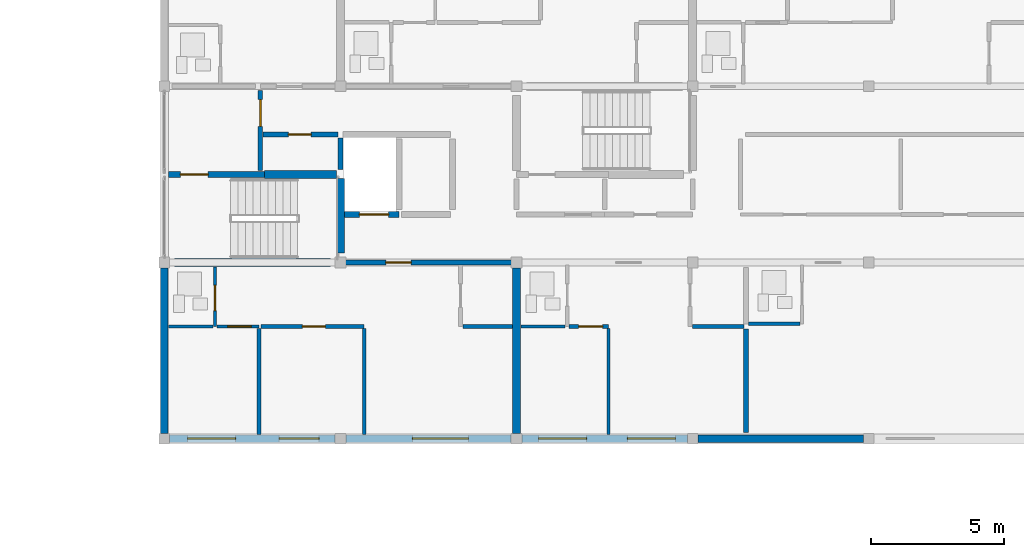
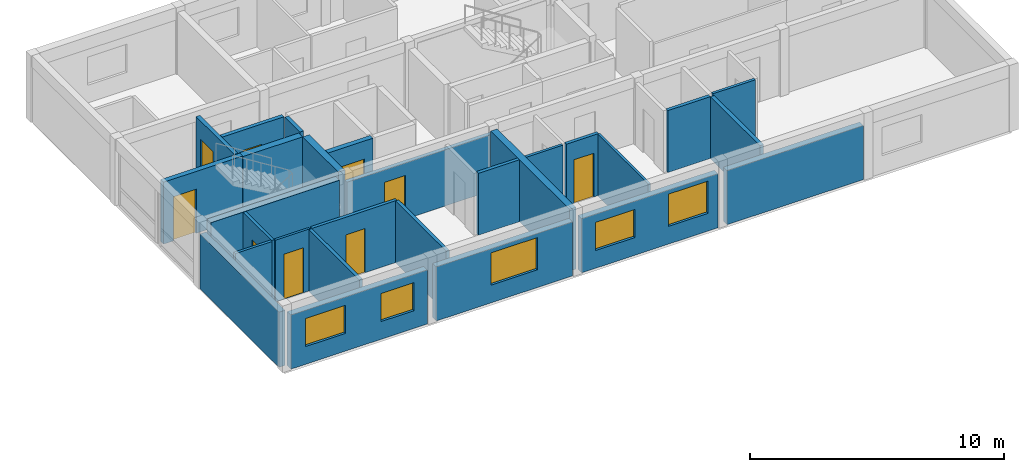
# One storey, part 23 of 34: 28 walls, 9 doors, 5 windows, 14 openings.
"""IFC4 building model written with IfcOpenShell, lengths in metres."""

from ifc_helpers import new_model, si_unit, direction, frame, frame_2d, origin, place, context, subcontext, project, spatial, rectangle, extrude, material, layer, layer_set, type_object, element, fill, save


model = new_model("IFC4")

# Units and contexts
model_context = context("Model", 3, precision=1e-05, world=origin(), true_north=direction((0.0, 1.0)))
body_context = subcontext(model_context, "Body", "Model", "MODEL_VIEW")
ifc_project = project(units=[si_unit("LENGTHUNIT", "METRE"), si_unit("AREAUNIT", "SQUARE_METRE"), si_unit("VOLUMEUNIT", "CUBIC_METRE"), si_unit("PLANEANGLEUNIT", "RADIAN"), si_unit("MASSUNIT", "GRAM", prefix="KILO")], contexts=[model_context])

# Site, building, storey
site_placement = place(None, origin())
site = spatial("IfcSite", under=ifc_project, at=site_placement, CompositionType="ELEMENT")
building_placement = place(site_placement, origin())
building = spatial("IfcBuilding", under=site, at=building_placement, Name="Kernevlak Ridge Housing Community", CompositionType="ELEMENT")
storey_placement = place(building_placement, frame((0.0, 0.0, 34.0)))
storey = spatial("IfcBuildingStorey", under=building, at=storey_placement, Name="L10", CompositionType="ELEMENT", Elevation=34.0)

# Wall, openings, windows
ifc_material_1 = material(Name="Concrete block masonry M10", Category="masonry")
ifc_layer_1 = layer(ifc_material_1, 0.280029296875, Name="Concrete block masonry M10")
ifc_layer_set_1 = layer_set([ifc_layer_1], Name="Concrete block masonry M10")
wall_type_1 = type_object("IfcWallType", Name="EW-03", PredefinedType="STANDARD", material=ifc_layer_set_1)
wall_1_placement = place(storey_placement, frame((119.60009765625, 82.60009765625, 0.0), z_axis=(0.0, 0.0, 1.0), x_axis=(1.0, 0.0, 0.0)))
wall_1 = element("IfcWall", 1, at=wall_1_placement, inside=storey, type_object=wall_type_1, Name="Exterior wall EW-03 L10 451", PredefinedType="STANDARD", context=body_context, shape_type="SweptSolid", body=[
    extrude(rectangle(XDim=6.199951171875, YDim=0.280029296875, at=frame_2d((3.10009765625, 0.0))), origin(), (0.0, 0.0, 1.0), 2.60009765625),
])
opening_1_placement = place(wall_1_placement, frame((0.675048828125, 0.0, 0.85009765625)))
opening_1 = element("IfcOpeningElement", 2, at=opening_1_placement, cuts=wall_1, Name="Opening WT-03", PredefinedType="OPENING", context=body_context, shape_type="SweptSolid", body=[
    extrude(rectangle(XDim=1.800048828125, YDim=1.35009765625, at=frame_2d((0.89990234375, 0.675048828125))), frame((0.0, 0.14990234375, 0.0), z_axis=(0.0, -1.0, 0.0), x_axis=(1.0, 0.0, 0.0)), (0.0, 0.0, 1.0), 0.300048828125),
])
opening_2_placement = place(wall_1_placement, frame((4.10009765625, 0.0, 0.85009765625)))
opening_2 = element("IfcOpeningElement", 3, at=opening_2_placement, cuts=wall_1, Name="Opening WT-02", PredefinedType="OPENING", context=body_context, shape_type="SweptSolid", body=[
    extrude(rectangle(XDim=1.5, YDim=1.35009765625, at=frame_2d((0.75, 0.675048828125))), frame((0.0, 0.14990234375, 0.0), z_axis=(0.0, -1.0, 0.0), x_axis=(1.0, 0.0, 0.0)), (0.0, 0.0, 1.0), 0.300048828125),
])
ifc_material_2 = material(Name="Aluminium EN AW-6060 anodised and laminated glass", Category="aluminium")
window_type_1 = type_object("IfcWindowType", Name="WT-02", PartitioningType="SINGLE_PANEL", PredefinedType="WINDOW", material=ifc_material_2)
window_1_placement = place(opening_2_placement, origin())
window_1 = element("IfcWindow", 4, at=window_1_placement, inside=storey, type_object=window_type_1, Name="Window WT-02 L10 349", OverallHeight=1.35009765625, OverallWidth=1.5, PartitioningType="SINGLE_PANEL", PredefinedType="WINDOW", context=body_context, shape_type="SweptSolid", body=[
    extrude(rectangle(XDim=1.5, YDim=1.35009765625, at=frame_2d((0.75, 0.675048828125))), frame((0.0, 0.030029296875, 0.0), z_axis=(0.0, -1.0, 0.0), x_axis=(1.0, 0.0, 0.0)), (0.0, 0.0, 1.0), 0.06005859375),
])
fill(opening_2, window_1)
window_type_2 = type_object("IfcWindowType", Name="WT-03", PartitioningType="SINGLE_PANEL", PredefinedType="WINDOW", material=ifc_material_2)
window_2_placement = place(opening_1_placement, origin())
window_2 = element("IfcWindow", 5, at=window_2_placement, inside=storey, type_object=window_type_2, Name="Window WT-03 L10 348", OverallHeight=1.35009765625, OverallWidth=1.800048828125, PartitioningType="SINGLE_PANEL", PredefinedType="WINDOW", context=body_context, shape_type="SweptSolid", body=[
    extrude(rectangle(XDim=1.800048828125, YDim=1.35009765625, at=frame_2d((0.89990234375, 0.675048828125))), frame((0.0, 0.030029296875, 0.0), z_axis=(0.0, -1.0, 0.0), x_axis=(1.0, 0.0, 0.0)), (0.0, 0.0, 1.0), 0.06005859375),
])
fill(opening_1, window_2)

# Wall, opening, window
wall_2_placement = place(storey_placement, frame((126.199951171875, 82.60009765625, 0.0), z_axis=(0.0, 0.0, 1.0), x_axis=(1.0, 0.0, 0.0)))
wall_2 = element("IfcWall", 6, at=wall_2_placement, inside=storey, type_object=wall_type_1, Name="Exterior wall EW-03 L10 452", PredefinedType="STANDARD", context=body_context, shape_type="SweptSolid", body=[
    extrude(rectangle(XDim=6.199951171875, YDim=0.280029296875, at=frame_2d((3.10009765625, 0.0))), origin(), (0.0, 0.0, 1.0), 2.60009765625),
])
opening_3_placement = place(wall_2_placement, frame((2.49609375, 0.0, 0.85009765625)))
opening_3 = element("IfcOpeningElement", 7, at=opening_3_placement, cuts=wall_2, Name="Opening WT-05", PredefinedType="OPENING", context=body_context, shape_type="SweptSolid", body=[
    extrude(rectangle(XDim=2.10009765625, YDim=1.550048828125, at=frame_2d((1.050048828125, 0.77490234375))), frame((0.0, 0.14990234375, 0.0), z_axis=(0.0, -1.0, 0.0), x_axis=(1.0, 0.0, 0.0)), (0.0, 0.0, 1.0), 0.300048828125),
])
window_type_3 = type_object("IfcWindowType", Name="WT-05", PartitioningType="SINGLE_PANEL", PredefinedType="WINDOW", material=ifc_material_2)
window_3_placement = place(opening_3_placement, origin())
window_3 = element("IfcWindow", 8, at=window_3_placement, inside=storey, type_object=window_type_3, Name="Window WT-05 L10 350", OverallHeight=1.550048828125, OverallWidth=2.10009765625, PartitioningType="SINGLE_PANEL", PredefinedType="WINDOW", context=body_context, shape_type="SweptSolid", body=[
    extrude(rectangle(XDim=2.10009765625, YDim=1.550048828125, at=frame_2d((1.050048828125, 0.77490234375))), frame((0.0, 0.030029296875, 0.0), z_axis=(0.0, -1.0, 0.0), x_axis=(1.0, 0.0, 0.0)), (0.0, 0.0, 1.0), 0.06005859375),
])
fill(opening_3, window_3)

# Wall, openings, windows
wall_3_placement = place(storey_placement, frame((132.800048828125, 82.60009765625, 0.0), z_axis=(0.0, 0.0, 1.0), x_axis=(1.0, 0.0, 0.0)))
wall_3 = element("IfcWall", 9, at=wall_3_placement, inside=storey, type_object=wall_type_1, Name="Exterior wall EW-03 L10 453", PredefinedType="STANDARD", context=body_context, shape_type="SweptSolid", body=[
    extrude(rectangle(XDim=6.199951171875, YDim=0.280029296875, at=frame_2d((3.10009765625, 0.0))), origin(), (0.0, 0.0, 1.0), 2.60009765625),
])
opening_4_placement = place(wall_3_placement, frame((0.625, 0.0, 0.85009765625)))
opening_4 = element("IfcOpeningElement", 10, at=opening_4_placement, cuts=wall_3, Name="Opening WT-03", PredefinedType="OPENING", context=body_context, shape_type="SweptSolid", body=[
    extrude(rectangle(XDim=1.800048828125, YDim=1.35009765625, at=frame_2d((0.89990234375, 0.675048828125))), frame((0.0, 0.14990234375, 0.0), z_axis=(0.0, -1.0, 0.0), x_axis=(1.0, 0.0, 0.0)), (0.0, 0.0, 1.0), 0.300048828125),
])
opening_5_placement = place(wall_3_placement, frame((3.949951171875, 0.0, 0.85009765625)))
opening_5 = element("IfcOpeningElement", 11, at=opening_5_placement, cuts=wall_3, Name="Opening WT-04", PredefinedType="OPENING", context=body_context, shape_type="SweptSolid", body=[
    extrude(rectangle(XDim=1.800048828125, YDim=1.550048828125, at=frame_2d((0.89990234375, 0.77490234375))), frame((0.0, 0.14990234375, 0.0), z_axis=(0.0, -1.0, 0.0), x_axis=(1.0, 0.0, 0.0)), (0.0, 0.0, 1.0), 0.300048828125),
])
window_4_placement = place(opening_4_placement, origin())
window_4 = element("IfcWindow", 12, at=window_4_placement, inside=storey, type_object=window_type_2, Name="Window WT-03 L10 351", OverallHeight=1.35009765625, OverallWidth=1.800048828125, PartitioningType="SINGLE_PANEL", PredefinedType="WINDOW", context=body_context, shape_type="SweptSolid", body=[
    extrude(rectangle(XDim=1.800048828125, YDim=1.35009765625, at=frame_2d((0.89990234375, 0.675048828125))), frame((0.0, 0.030029296875, 0.0), z_axis=(0.0, -1.0, 0.0), x_axis=(1.0, 0.0, 0.0)), (0.0, 0.0, 1.0), 0.06005859375),
])
fill(opening_4, window_4)
window_type_4 = type_object("IfcWindowType", Name="WT-04", PartitioningType="SINGLE_PANEL", PredefinedType="WINDOW", material=ifc_material_2)
window_5_placement = place(opening_5_placement, origin())
window_5 = element("IfcWindow", 13, at=window_5_placement, inside=storey, type_object=window_type_4, Name="Window WT-04 L10 352", OverallHeight=1.550048828125, OverallWidth=1.800048828125, PartitioningType="SINGLE_PANEL", PredefinedType="WINDOW", context=body_context, shape_type="SweptSolid", body=[
    extrude(rectangle(XDim=1.800048828125, YDim=1.550048828125, at=frame_2d((0.89990234375, 0.77490234375))), frame((0.0, 0.030029296875, 0.0), z_axis=(0.0, -1.0, 0.0), x_axis=(1.0, 0.0, 0.0)), (0.0, 0.0, 1.0), 0.06005859375),
])
fill(opening_5, window_5)

# Walls
wall_4_placement = place(storey_placement, frame((139.39990234375, 82.60009765625, 0.0), z_axis=(0.0, 0.0, 1.0), x_axis=(1.0, 0.0, 0.0)))
element("IfcWall", 14, at=wall_4_placement, inside=storey, type_object=wall_type_1, Name="Exterior wall EW-03 L10 454", PredefinedType="STANDARD", context=body_context, shape_type="SweptSolid", body=[
    extrude(rectangle(XDim=6.2001953125, YDim=0.280029296875, at=frame_2d((3.10009765625, 0.0))), origin(), (0.0, 0.0, 1.0), 2.60009765625),
])
wall_5_placement = place(storey_placement, frame((119.39990234375, 82.800048828125, 0.0), z_axis=(0.0, 0.0, 1.0), x_axis=(0.0, 1.0, 0.0)))
element("IfcWall", 15, at=wall_5_placement, inside=storey, type_object=wall_type_1, Name="Exterior wall EW-03 L10 463", PredefinedType="STANDARD", context=body_context, shape_type="SweptSolid", body=[
    extrude(rectangle(XDim=6.199951171875, YDim=0.280029296875, at=frame_2d((3.10009765625, 0.0))), origin(), (0.0, 0.0, 1.0), 2.64990234375),
])

# Wall, opening, door
ifc_material_3 = material(Name="Concrete C35/45", Category="concrete")
ifc_layer_2 = layer(ifc_material_3, 0.22509765625, Name="Concrete C35/45")
ifc_layer_set_2 = layer_set([ifc_layer_2], Name="Concrete C35/45")
wall_type_2 = type_object("IfcWallType", Name="PW-01", PredefinedType="STANDARD", material=ifc_layer_set_2)
wall_6_placement = place(storey_placement, frame((119.550048828125, 92.5, 0.0), z_axis=(0.0, 0.0, 1.0), x_axis=(1.0, 0.0, 0.0)))
wall_6 = element("IfcWall", 16, at=wall_6_placement, inside=storey, type_object=wall_type_2, Name="Interior wall PW-01 WAL-INT-L10-1765", PredefinedType="STANDARD", context=body_context, shape_type="SweptSolid", body=[
    extrude(rectangle(XDim=3.599853515625, YDim=0.22509765625, at=frame_2d((1.7998046875, 0.0))), origin(), (0.0, 0.0, 1.0), 2.969970703125),
])
opening_6_placement = place(wall_6_placement, frame((0.449951171875, 0.0, 0.0)))
opening_6 = element("IfcOpeningElement", 17, at=opening_6_placement, cuts=wall_6, Name="Opening D895", PredefinedType="OPENING", context=body_context, shape_type="SweptSolid", body=[
    extrude(rectangle(XDim=1.0400390625, YDim=2.1201171875, at=frame_2d((0.52001953125, 1.06005859375))), frame((0.0, 0.12255859375, 0.0), z_axis=(0.0, -1.0, 0.0), x_axis=(1.0, 0.0, 0.0)), (0.0, 0.0, 1.0), 0.2451171875),
])
ifc_material_4 = material(Name="Fire-rated sheet steel leaf", Category="steel")
door_type_1 = type_object("IfcDoorType", Name="DT-16", OperationType="NOTDEFINED", PredefinedType="DOOR", material=ifc_material_4)
door_1_placement = place(opening_6_placement, origin())
door_1 = element("IfcDoor", 18, at=door_1_placement, inside=storey, type_object=door_type_1, Name="Block B Stair 1 fire door D895", OperationType="SINGLE_SWING_LEFT", OverallHeight=2.1201171875, OverallWidth=1.0400390625, PredefinedType="DOOR", context=body_context, shape_type="SweptSolid", body=[
    extrude(rectangle(XDim=1.0400390625, YDim=2.1201171875, at=frame_2d((0.52001953125, 1.06005859375))), frame((0.0, 0.02490234375, 0.0), z_axis=(0.0, -1.0, 0.0), x_axis=(1.0, 0.0, 0.0)), (0.0, 0.0, 1.0), 0.050048828125),
])
fill(opening_6, door_1)

wall_7_placement = place(storey_placement, frame((126.159912109375, 91.0, 0.0), z_axis=(0.0, 0.0, 1.0), x_axis=(1.0, 0.0, 0.0)))
wall_7 = element("IfcWall", 19, at=wall_7_placement, inside=storey, type_object=wall_type_2, Name="Interior wall PW-01 WAL-INT-L10-1769", PredefinedType="STANDARD", context=body_context, shape_type="SweptSolid", body=[
    extrude(rectangle(XDim=2.0400390625, YDim=0.22509765625, at=frame_2d((1.02001953125, 0.0))), origin(), (0.0, 0.0, 1.0), 2.969970703125),
])
opening_7_placement = place(wall_7_placement, frame((0.550048828125, 0.0, 0.0)))
opening_7 = element("IfcOpeningElement", 20, at=opening_7_placement, cuts=wall_7, Name="Opening LD49", PredefinedType="OPENING", context=body_context, shape_type="SweptSolid", body=[
    extrude(rectangle(XDim=1.10009765625, YDim=2.10009765625, at=frame_2d((0.550048828125, 1.050048828125))), frame((0.0, 0.12255859375, 0.0), z_axis=(0.0, -1.0, 0.0), x_axis=(1.0, 0.0, 0.0)), (0.0, 0.0, 1.0), 0.2451171875),
])
ifc_material_5 = material(Name="Stainless steel EN 1.4401", Category="steel")
door_type_2 = type_object("IfcDoorType", Name="DT-LD1", OperationType="DOUBLE_DOOR_SLIDING", PredefinedType="DOOR", material=ifc_material_5)
door_2_placement = place(opening_7_placement, origin())
door_2 = element("IfcDoor", 21, at=door_2_placement, inside=storey, type_object=door_type_2, Name="Lift LF-B1 landing door LD49", OperationType="DOUBLE_DOOR_SLIDING", OverallHeight=2.10009765625, OverallWidth=1.10009765625, PredefinedType="DOOR", context=body_context, shape_type="SweptSolid", body=[
    extrude(rectangle(XDim=1.10009765625, YDim=2.10009765625, at=frame_2d((0.550048828125, 1.050048828125))), frame((0.0, 0.02490234375, 0.0), z_axis=(0.0, -1.0, 0.0), x_axis=(1.0, 0.0, 0.0)), (0.0, 0.0, 1.0), 0.050048828125),
])
fill(opening_7, door_2)

ifc_layer_3 = layer(ifc_material_1, 0.175048828125, Name="Concrete block masonry M10")
ifc_layer_set_3 = layer_set([ifc_layer_3], Name="Concrete block masonry M10")
wall_type_3 = type_object("IfcWallType", Name="PW-02", PredefinedType="PARTITIONING", material=ifc_layer_set_3)
wall_8_placement = place(storey_placement, frame((123.0, 92.64990234375, 0.0), z_axis=(0.0, 0.0, 1.0), x_axis=(0.0, 1.0, 0.0)))
wall_8 = element("IfcWall", 22, at=wall_8_placement, inside=storey, type_object=wall_type_3, Name="Interior wall PW-02 WAL-INT-L10-1766", PredefinedType="PARTITIONING", context=body_context, shape_type="SweptSolid", body=[
    extrude(rectangle(XDim=3.0, YDim=0.175048828125, at=frame_2d((1.5, 0.0))), origin(), (0.0, 0.0, 1.0), 2.969970703125),
])
opening_8_placement = place(wall_8_placement, frame((1.64990234375, 0.0, 0.0)))
opening_8 = element("IfcOpeningElement", 23, at=opening_8_placement, cuts=wall_8, Name="Opening D896", PredefinedType="OPENING", context=body_context, shape_type="SweptSolid", body=[
    extrude(rectangle(XDim=1.0, YDim=2.10009765625, at=frame_2d((0.5, 1.050048828125))), frame((0.0, 0.097412109375, 0.0), z_axis=(0.0, -1.0, 0.0), x_axis=(1.0, 0.0, 0.0)), (0.0, 0.0, 1.0), 0.195068359375),
])
door_type_3 = type_object("IfcDoorType", Name="DT-05", OperationType="NOTDEFINED", PredefinedType="DOOR", material=ifc_material_4)
door_3_placement = place(opening_8_placement, origin())
door_3 = element("IfcDoor", 24, at=door_3_placement, inside=storey, type_object=door_type_3, Name="Block B Firefighting lobby 1 door D896", OperationType="SINGLE_SWING_RIGHT", OverallHeight=2.10009765625, OverallWidth=1.0, PredefinedType="DOOR", context=body_context, shape_type="SweptSolid", body=[
    extrude(rectangle(XDim=1.0, YDim=2.10009765625, at=frame_2d((0.5, 1.050048828125))), frame((0.0, 0.02490234375, 0.0), z_axis=(0.0, -1.0, 0.0), x_axis=(1.0, 0.0, 0.0)), (0.0, 0.0, 1.0), 0.050048828125),
])
fill(opening_8, door_3)

wall_9_placement = place(storey_placement, frame((123.10009765625, 94.0, 0.0), z_axis=(0.0, 0.0, 1.0), x_axis=(1.0, 0.0, 0.0)))
wall_9 = element("IfcWall", 25, at=wall_9_placement, inside=storey, type_object=wall_type_3, Name="Interior wall PW-02 WAL-INT-L10-1767", PredefinedType="PARTITIONING", context=body_context, shape_type="SweptSolid", body=[
    extrude(rectangle(XDim=2.7998046875, YDim=0.175048828125, at=frame_2d((1.39990234375, 0.0))), origin(), (0.0, 0.0, 1.0), 2.969970703125),
])
opening_9_placement = place(wall_9_placement, frame((0.949951171875, 0.0, 0.0)))
opening_9 = element("IfcOpeningElement", 26, at=opening_9_placement, cuts=wall_9, Name="Opening D897", PredefinedType="OPENING", context=body_context, shape_type="SweptSolid", body=[
    extrude(rectangle(XDim=0.85009765625, YDim=2.0, at=frame_2d((0.425048828125, 1.0))), frame((0.0, 0.097412109375, 0.0), z_axis=(0.0, -1.0, 0.0), x_axis=(1.0, 0.0, 0.0)), (0.0, 0.0, 1.0), 0.195068359375),
])
door_type_4 = type_object("IfcDoorType", Name="DT-07", OperationType="NOTDEFINED", PredefinedType="DOOR", material=ifc_material_4)
door_4_placement = place(opening_9_placement, origin())
door_4 = element("IfcDoor", 27, at=door_4_placement, inside=storey, type_object=door_type_4, Name="Block B Riser shaft door D897", OperationType="SINGLE_SWING_LEFT", OverallHeight=2.0, OverallWidth=0.85009765625, PredefinedType="DOOR", context=body_context, shape_type="SweptSolid", body=[
    extrude(rectangle(XDim=0.85009765625, YDim=2.0, at=frame_2d((0.425048828125, 1.0))), frame((0.0, 0.02490234375, 0.0), z_axis=(0.0, -1.0, 0.0), x_axis=(1.0, 0.0, 0.0)), (0.0, 0.0, 1.0), 0.050048828125),
])
fill(opening_9, door_4)

# Wall
wall_10_placement = place(storey_placement, frame((126.0, 92.679931640625, 0.0), z_axis=(0.0, 0.0, 1.0), x_axis=(0.0, 1.0, 0.0)))
element("IfcWall", 28, at=wall_10_placement, inside=storey, type_object=wall_type_3, Name="Interior wall PW-02 WAL-INT-L10-1768", PredefinedType="PARTITIONING", context=body_context, shape_type="SweptSolid", body=[
    extrude(rectangle(XDim=1.190185546875, YDim=0.175048828125, at=frame_2d((0.59521484375, 0.0))), origin(), (0.0, 0.0, 1.0), 2.969970703125),
])

# Wall, opening, door
wall_11_placement = place(storey_placement, frame((126.0, 89.199951171875, 0.0), z_axis=(0.0, 0.0, 1.0), x_axis=(1.0, 0.0, 0.0)))
wall_11 = element("IfcWall", 29, at=wall_11_placement, inside=storey, type_object=wall_type_3, Name="Interior wall PW-02 WAL-INT-L10-1786", PredefinedType="PARTITIONING", context=body_context, shape_type="SweptSolid", body=[
    extrude(rectangle(XDim=6.60009765625, YDim=0.175048828125, at=frame_2d((3.300048828125, 0.0))), origin(), (0.0, 0.0, 1.0), 2.699951171875),
])
opening_10_placement = place(wall_11_placement, frame((1.699951171875, 0.0, 0.0)))
opening_10 = element("IfcOpeningElement", 30, at=opening_10_placement, cuts=wall_11, Name="Opening D903", PredefinedType="OPENING", context=body_context, shape_type="SweptSolid", body=[
    extrude(rectangle(XDim=0.949951171875, YDim=2.10009765625, at=frame_2d((0.47509765625, 1.050048828125))), frame((0.0, 0.097412109375, 0.0), z_axis=(0.0, -1.0, 0.0), x_axis=(1.0, 0.0, 0.0)), (0.0, 0.0, 1.0), 0.195068359375),
])
ifc_material_6 = material(Name="Hardwood timber solid-core fire leaf", Category="wood")
door_type_5 = type_object("IfcDoorType", Name="DT-01", OperationType="NOTDEFINED", PredefinedType="DOOR", material=ifc_material_6)
door_5_placement = place(opening_10_placement, origin())
door_5 = element("IfcDoor", 31, at=door_5_placement, inside=storey, type_object=door_type_5, Name="Flat B1011 entrance fire door D903", OperationType="SINGLE_SWING_LEFT", OverallHeight=2.10009765625, OverallWidth=0.949951171875, PredefinedType="DOOR", context=body_context, shape_type="SweptSolid", body=[
    extrude(rectangle(XDim=0.949951171875, YDim=2.10009765625, at=frame_2d((0.47509765625, 1.050048828125))), frame((0.0, 0.02490234375, 0.0), z_axis=(0.0, -1.0, 0.0), x_axis=(1.0, 0.0, 0.0)), (0.0, 0.0, 1.0), 0.050048828125),
])
fill(opening_10, door_5)

# Walls
wall_12_placement = place(storey_placement, frame((141.199951171875, 86.71240234375, 0.0), z_axis=(0.0, 0.0, 1.0), x_axis=(0.0, -1.0, 0.0)))
element("IfcWall", 32, at=wall_12_placement, inside=storey, type_object=wall_type_3, Name="Interior wall PW-02 WAL-INT-L10-1802-S2", PredefinedType="PARTITIONING", context=body_context, shape_type="SweptSolid", body=[
    extrude(rectangle(XDim=3.88232421875, YDim=0.175048828125, at=frame_2d((1.941162109375, 0.0))), origin(), (0.0, 0.0, 1.0), 2.969970703125),
])
ifc_layer_4 = layer(ifc_material_1, 0.14501953125, Name="Concrete block masonry M10")
ifc_layer_set_4 = layer_set([ifc_layer_4], Name="Concrete block masonry M10")
wall_type_4 = type_object("IfcWallType", Name="PW-03", PredefinedType="PARTITIONING", material=ifc_layer_set_4)
wall_13_placement = place(storey_placement, frame((122.949951171875, 86.719970703125, 0.0), z_axis=(0.0, 0.0, 1.0), x_axis=(0.0, -1.0, 0.0)))
element("IfcWall", 33, at=wall_13_placement, inside=storey, type_object=wall_type_4, Name="Interior wall PW-03 WAL-INT-L10-1792", PredefinedType="PARTITIONING", context=body_context, shape_type="SweptSolid", body=[
    extrude(rectangle(XDim=3.969970703125, YDim=0.14501953125, at=frame_2d((1.98486328125, 0.0))), origin(), (0.0, 0.0, 1.0), 2.969970703125),
])

# Wall, opening, door
wall_14_placement = place(storey_placement, frame((123.032470703125, 86.800048828125, 0.0), z_axis=(0.0, 0.0, 1.0), x_axis=(1.0, 0.0, 0.0)))
wall_14 = element("IfcWall", 34, at=wall_14_placement, inside=storey, type_object=wall_type_4, Name="Interior wall PW-03 WAL-INT-L10-1793", PredefinedType="PARTITIONING", context=body_context, shape_type="SweptSolid", body=[
    extrude(rectangle(XDim=3.859619140625, YDim=0.14501953125, at=frame_2d((1.9296875, 0.0))), origin(), (0.0, 0.0, 1.0), 2.969970703125),
])
opening_11_placement = place(wall_14_placement, frame((1.5458984375, 0.0, 0.0)))
opening_11 = element("IfcOpeningElement", 35, at=opening_11_placement, cuts=wall_14, Name="Opening D907", PredefinedType="OPENING", context=body_context, shape_type="SweptSolid", body=[
    extrude(rectangle(XDim=0.860107421875, YDim=2.1201171875, at=frame_2d((0.43017578125, 1.06005859375))), frame((0.0, 0.08251953125, 0.0), z_axis=(0.0, -1.0, 0.0), x_axis=(1.0, 0.0, 0.0)), (0.0, 0.0, 1.0), 0.1650390625),
])
ifc_material_7 = material(Name="Hardwood timber leaf", Category="wood")
door_type_6 = type_object("IfcDoorType", Name="DT-28", OperationType="NOTDEFINED", PredefinedType="DOOR", material=ifc_material_7)
door_6_placement = place(opening_11_placement, origin())
door_6 = element("IfcDoor", 36, at=door_6_placement, inside=storey, type_object=door_type_6, Name="Flat B1011 bedroom door D907", OperationType="SINGLE_SWING_LEFT", OverallHeight=2.1201171875, OverallWidth=0.860107421875, PredefinedType="DOOR", context=body_context, shape_type="SweptSolid", body=[
    extrude(rectangle(XDim=0.860107421875, YDim=2.1201171875, at=frame_2d((0.43017578125, 1.06005859375))), frame((0.0, 0.02490234375, 0.0), z_axis=(0.0, -1.0, 0.0), x_axis=(1.0, 0.0, 0.0)), (0.0, 0.0, 1.0), 0.050048828125),
])
fill(opening_11, door_6)

# Wall
wall_15_placement = place(storey_placement, frame((126.89208984375, 86.717529296875, 0.0), z_axis=(0.0, 0.0, 1.0), x_axis=(0.0, -1.0, 0.0)))
element("IfcWall", 37, at=wall_15_placement, inside=storey, type_object=wall_type_4, Name="Interior wall PW-03 WAL-INT-L10-1794", PredefinedType="PARTITIONING", context=body_context, shape_type="SweptSolid", body=[
    extrude(rectangle(XDim=3.967529296875, YDim=0.14501953125, at=frame_2d((1.98388671875, 0.0))), origin(), (0.0, 0.0, 1.0), 2.969970703125),
])

# Wall, opening, door
wall_16_placement = place(storey_placement, frame((134.572509765625, 86.800048828125, 0.0), z_axis=(0.0, 0.0, 1.0), x_axis=(1.0, 0.0, 0.0)))
wall_16 = element("IfcWall", 38, at=wall_16_placement, inside=storey, type_object=wall_type_4, Name="Interior wall PW-03 WAL-INT-L10-1800", PredefinedType="PARTITIONING", context=body_context, shape_type="SweptSolid", body=[
    extrude(rectangle(XDim=1.4775390625, YDim=0.14501953125, at=frame_2d((0.73876953125, 0.0))), origin(), (0.0, 0.0, 1.0), 2.969970703125),
])
opening_12_placement = place(wall_16_placement, frame((0.35009765625, 0.0, 0.0)))
opening_12 = element("IfcOpeningElement", 39, at=opening_12_placement, cuts=wall_16, Name="Opening D911", PredefinedType="OPENING", context=body_context, shape_type="SweptSolid", body=[
    extrude(rectangle(XDim=0.89990234375, YDim=2.10009765625, at=frame_2d((0.449951171875, 1.050048828125))), frame((0.0, 0.08251953125, 0.0), z_axis=(0.0, -1.0, 0.0), x_axis=(1.0, 0.0, 0.0)), (0.0, 0.0, 1.0), 0.1650390625),
])
door_type_7 = type_object("IfcDoorType", Name="DT-21", OperationType="NOTDEFINED", PredefinedType="DOOR", material=ifc_material_7)
door_7_placement = place(opening_12_placement, origin())
door_7 = element("IfcDoor", 40, at=door_7_placement, inside=storey, type_object=door_type_7, Name="Flat B1012 bedroom door D911", OperationType="SINGLE_SWING_LEFT", OverallHeight=2.10009765625, OverallWidth=0.89990234375, PredefinedType="DOOR", context=body_context, shape_type="SweptSolid", body=[
    extrude(rectangle(XDim=0.89990234375, YDim=2.10009765625, at=frame_2d((0.449951171875, 1.050048828125))), frame((0.0, 0.02490234375, 0.0), z_axis=(0.0, -1.0, 0.0), x_axis=(1.0, 0.0, 0.0)), (0.0, 0.0, 1.0), 0.050048828125),
])
fill(opening_12, door_7)

ifc_material_8 = material(Name="Gypsum plasterboard EN 520", Category="gypsum")
ifc_layer_5 = layer(ifc_material_8, 0.125, Name="Gypsum plasterboard EN 520")
ifc_layer_set_5 = layer_set([ifc_layer_5], Name="Gypsum plasterboard EN 520")
wall_type_5 = type_object("IfcWallType", Name="PW-04", PredefinedType="PARTITIONING", material=ifc_layer_set_5)
wall_17_placement = place(storey_placement, frame((121.300048828125, 89.0400390625, 0.0), z_axis=(0.0, 0.0, 1.0), x_axis=(0.0, -1.0, 0.0)))
wall_17 = element("IfcWall", 41, at=wall_17_placement, inside=storey, type_object=wall_type_5, Name="Interior wall PW-04 WAL-INT-L10-1787", PredefinedType="PARTITIONING", context=body_context, shape_type="SweptSolid", body=[
    extrude(rectangle(XDim=2.239990234375, YDim=0.125, at=frame_2d((1.1201171875, 0.0))), origin(), (0.0, 0.0, 1.0), 2.969970703125),
])
opening_13_placement = place(wall_17_placement, frame((0.699951171875, 0.0, 0.0)))
opening_13 = element("IfcOpeningElement", 42, at=opening_13_placement, cuts=wall_17, Name="Opening D904", PredefinedType="OPENING", context=body_context, shape_type="SweptSolid", body=[
    extrude(rectangle(XDim=0.93994140625, YDim=2.080078125, at=frame_2d((0.469970703125, 1.0400390625))), frame((0.0, 0.072509765625, 0.0), z_axis=(0.0, -1.0, 0.0), x_axis=(1.0, 0.0, 0.0)), (0.0, 0.0, 1.0), 0.14501953125),
])
ifc_material_9 = material(Name="Hardwood timber moisture-resistant leaf", Category="wood")
door_type_8 = type_object("IfcDoorType", Name="DT-23", OperationType="NOTDEFINED", PredefinedType="DOOR", material=ifc_material_9)
door_8_placement = place(opening_13_placement, origin())
door_8 = element("IfcDoor", 43, at=door_8_placement, inside=storey, type_object=door_type_8, Name="Flat B1011 bathroom door D904", OperationType="SINGLE_SWING_RIGHT", OverallHeight=2.080078125, OverallWidth=0.93994140625, PredefinedType="DOOR", context=body_context, shape_type="SweptSolid", body=[
    extrude(rectangle(XDim=0.93994140625, YDim=2.080078125, at=frame_2d((0.469970703125, 1.0400390625))), frame((0.0, 0.02490234375, 0.0), z_axis=(0.0, -1.0, 0.0), x_axis=(1.0, 0.0, 0.0)), (0.0, 0.0, 1.0), 0.050048828125),
])
fill(opening_13, door_8)

# Walls
wall_18_placement = place(storey_placement, frame((119.550048828125, 86.800048828125, 0.0), z_axis=(0.0, 0.0, 1.0), x_axis=(1.0, 0.0, 0.0)))
element("IfcWall", 44, at=wall_18_placement, inside=storey, type_object=wall_type_5, Name="Interior wall PW-04 WAL-INT-L10-1788", PredefinedType="PARTITIONING", context=body_context, shape_type="SweptSolid", body=[
    extrude(rectangle(XDim=1.669921875, YDim=0.125, at=frame_2d((0.8349609375, 0.0))), origin(), (0.0, 0.0, 1.0), 2.969970703125),
])
wall_19_placement = place(storey_placement, frame((132.760009765625, 86.800048828125, 0.0), z_axis=(0.0, 0.0, 1.0), x_axis=(1.0, 0.0, 0.0)))
element("IfcWall", 45, at=wall_19_placement, inside=storey, type_object=wall_type_5, Name="Interior wall PW-04 WAL-INT-L10-1797", PredefinedType="PARTITIONING", context=body_context, shape_type="SweptSolid", body=[
    extrude(rectangle(XDim=1.659912109375, YDim=0.125, at=frame_2d((0.830078125, 0.0))), origin(), (0.0, 0.0, 1.0), 2.969970703125),
])
wall_20_placement = place(storey_placement, frame((141.297607421875, 86.89990234375, 0.0), z_axis=(0.0, 0.0, 1.0), x_axis=(1.0, 0.0, 0.0)))
element("IfcWall", 46, at=wall_20_placement, inside=storey, type_object=wall_type_5, Name="Interior wall PW-04 WAL-INT-L10-1805", PredefinedType="PARTITIONING", context=body_context, shape_type="SweptSolid", body=[
    extrude(rectangle(XDim=1.92236328125, YDim=0.125, at=frame_2d((0.961181640625, 0.0))), origin(), (0.0, 0.0, 1.0), 2.969970703125),
])
ifc_layer_6 = layer(ifc_material_8, 0.155029296875, Name="Gypsum plasterboard EN 520")
ifc_layer_set_6 = layer_set([ifc_layer_6], Name="Gypsum plasterboard EN 520")
wall_type_6 = type_object("IfcWallType", Name="PW-05", PredefinedType="PARTITIONING", material=ifc_layer_set_6)
wall_21_placement = place(storey_placement, frame((130.58740234375, 86.800048828125, 0.0), z_axis=(0.0, 0.0, 1.0), x_axis=(1.0, 0.0, 0.0)))
element("IfcWall", 47, at=wall_21_placement, inside=storey, type_object=wall_type_6, Name="Interior wall PW-05 WAL-INT-L10-1790", PredefinedType="PARTITIONING", context=body_context, shape_type="SweptSolid", body=[
    extrude(rectangle(XDim=1.8525390625, YDim=0.155029296875, at=frame_2d((0.92626953125, 0.0))), origin(), (0.0, 0.0, 1.0), 2.969970703125),
])
wall_22_placement = place(storey_placement, frame((139.1875, 86.800048828125, 0.0), z_axis=(0.0, 0.0, 1.0), x_axis=(1.0, 0.0, 0.0)))
element("IfcWall", 48, at=wall_22_placement, inside=storey, type_object=wall_type_6, Name="Interior wall PW-05 WAL-INT-L10-1799", PredefinedType="PARTITIONING", context=body_context, shape_type="SweptSolid", body=[
    extrude(rectangle(XDim=1.9326171875, YDim=0.155029296875, at=frame_2d((0.96630859375, 0.0))), origin(), (0.0, 0.0, 1.0), 2.969970703125),
])

# Wall, opening, door
ifc_layer_7 = layer(ifc_material_8, 0.10498046875, Name="Gypsum plasterboard EN 520")
ifc_layer_set_7 = layer_set([ifc_layer_7], Name="Gypsum plasterboard EN 520")
wall_type_7 = type_object("IfcWallType", Name="PW-06", PredefinedType="PARTITIONING", material=ifc_layer_set_7)
wall_23_placement = place(storey_placement, frame((121.37255859375, 86.800048828125, 0.0), z_axis=(0.0, 0.0, 1.0), x_axis=(1.0, 0.0, 0.0)))
wall_23 = element("IfcWall", 49, at=wall_23_placement, inside=storey, type_object=wall_type_7, Name="Interior wall PW-06 WAL-INT-L10-1791", PredefinedType="PARTITIONING", context=body_context, shape_type="SweptSolid", body=[
    extrude(rectangle(XDim=1.577392578125, YDim=0.10498046875, at=frame_2d((0.78857421875, 0.0))), origin(), (0.0, 0.0, 1.0), 2.969970703125),
])
opening_14_placement = place(wall_23_placement, frame((0.39990234375, 0.0, 0.0)))
opening_14 = element("IfcOpeningElement", 50, at=opening_14_placement, cuts=wall_23, Name="Opening D906", PredefinedType="OPENING", context=body_context, shape_type="SweptSolid", body=[
    extrude(rectangle(XDim=0.8798828125, YDim=2.159912109375, at=frame_2d((0.43994140625, 1.080078125))), frame((0.0, 0.0625, 0.0), z_axis=(0.0, -1.0, 0.0), x_axis=(1.0, 0.0, 0.0)), (0.0, 0.0, 1.0), 0.125),
])
door_type_9 = type_object("IfcDoorType", Name="DT-26", OperationType="NOTDEFINED", PredefinedType="DOOR", material=ifc_material_7)
door_9_placement = place(opening_14_placement, origin())
door_9 = element("IfcDoor", 51, at=door_9_placement, inside=storey, type_object=door_type_9, Name="Flat B1011 bedroom door D906", OperationType="SINGLE_SWING_RIGHT", OverallHeight=2.159912109375, OverallWidth=0.8798828125, PredefinedType="DOOR", context=body_context, shape_type="SweptSolid", body=[
    extrude(rectangle(XDim=0.8798828125, YDim=2.159912109375, at=frame_2d((0.43994140625, 1.080078125))), frame((0.0, 0.02490234375, 0.0), z_axis=(0.0, -1.0, 0.0), x_axis=(1.0, 0.0, 0.0)), (0.0, 0.0, 1.0), 0.050048828125),
])
fill(opening_14, door_9)

# Walls
wall_24_placement = place(storey_placement, frame((136.050048828125, 86.717529296875, 0.0), z_axis=(0.0, 0.0, 1.0), x_axis=(0.0, -1.0, 0.0)))
element("IfcWall", 52, at=wall_24_placement, inside=storey, type_object=wall_type_7, Name="Interior wall PW-06 WAL-INT-L10-1801", PredefinedType="PARTITIONING", context=body_context, shape_type="SweptSolid", body=[
    extrude(rectangle(XDim=3.967529296875, YDim=0.10498046875, at=frame_2d((1.98388671875, 0.0))), origin(), (0.0, 0.0, 1.0), 2.969970703125),
])
ifc_material_10 = material(Name="Concrete C40/50", Category="concrete")
ifc_layer_8 = layer(ifc_material_10, 0.300048828125, Name="Concrete C40/50")
ifc_layer_set_8 = layer_set([ifc_layer_8], Name="Concrete C40/50")
wall_type_8 = type_object("IfcWallType", Name="SW-02", PredefinedType="SHEAR", material=ifc_layer_set_8)
wall_25_placement = place(storey_placement, frame((119.780029296875, 89.199951171875, 0.0), z_axis=(0.0, 0.0, 1.0), x_axis=(1.0, 0.0, 0.0)))
element("IfcWall", 53, at=wall_25_placement, inside=storey, type_object=wall_type_8, Name="Shear wall SW-02 Block B L10 311", PredefinedType="SHEAR", context=body_context, shape_type="SweptSolid", body=[
    extrude(rectangle(XDim=5.840087890625, YDim=0.300048828125, at=frame_2d((2.919921875, 0.0))), origin(), (0.0, 0.0, 1.0), 2.969970703125),
])
wall_26_placement = place(storey_placement, frame((123.14990234375, 92.5, 0.0), z_axis=(0.0, 0.0, 1.0), x_axis=(1.0, 0.0, 0.0)))
element("IfcWall", 54, at=wall_26_placement, inside=storey, type_object=wall_type_8, Name="Shear wall SW-02 Block B L10 312", PredefinedType="SHEAR", context=body_context, shape_type="SweptSolid", body=[
    extrude(rectangle(XDim=2.7001953125, YDim=0.300048828125, at=frame_2d((1.35009765625, 0.0))), origin(), (0.0, 0.0, 1.0), 2.969970703125),
])
wall_27_placement = place(storey_placement, frame((126.0, 89.550048828125, 0.0), z_axis=(0.0, 0.0, 1.0), x_axis=(0.0, 1.0, 0.0)))
element("IfcWall", 55, at=wall_27_placement, inside=storey, type_object=wall_type_8, Name="Shear wall SW-02 Block B L10 313", PredefinedType="SHEAR", context=body_context, shape_type="SweptSolid", body=[
    extrude(rectangle(XDim=2.800048828125, YDim=0.300048828125, at=frame_2d((1.39990234375, 0.0))), origin(), (0.0, 0.0, 1.0), 2.969970703125),
])
wall_28_placement = place(storey_placement, frame((132.60009765625, 82.800048828125, 0.0), z_axis=(0.0, 0.0, 1.0), x_axis=(0.0, 1.0, 0.0)))
element("IfcWall", 56, at=wall_28_placement, inside=storey, type_object=wall_type_8, Name="Shear wall SW-02 Block B L10 318", PredefinedType="SHEAR", context=body_context, shape_type="SweptSolid", body=[
    extrude(rectangle(XDim=6.199951171875, YDim=0.300048828125, at=frame_2d((3.10009765625, 0.0))), origin(), (0.0, 0.0, 1.0), 2.969970703125),
])

save(model, "model.ifc")
